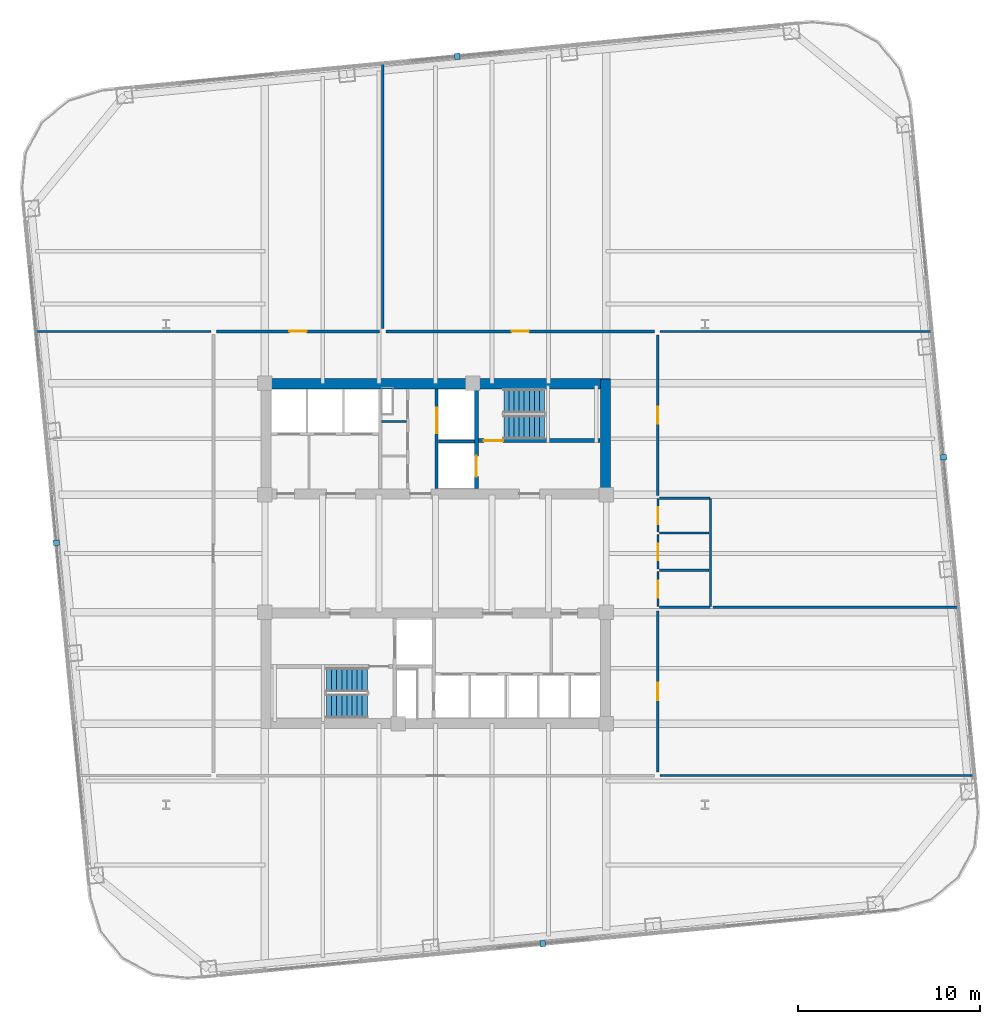
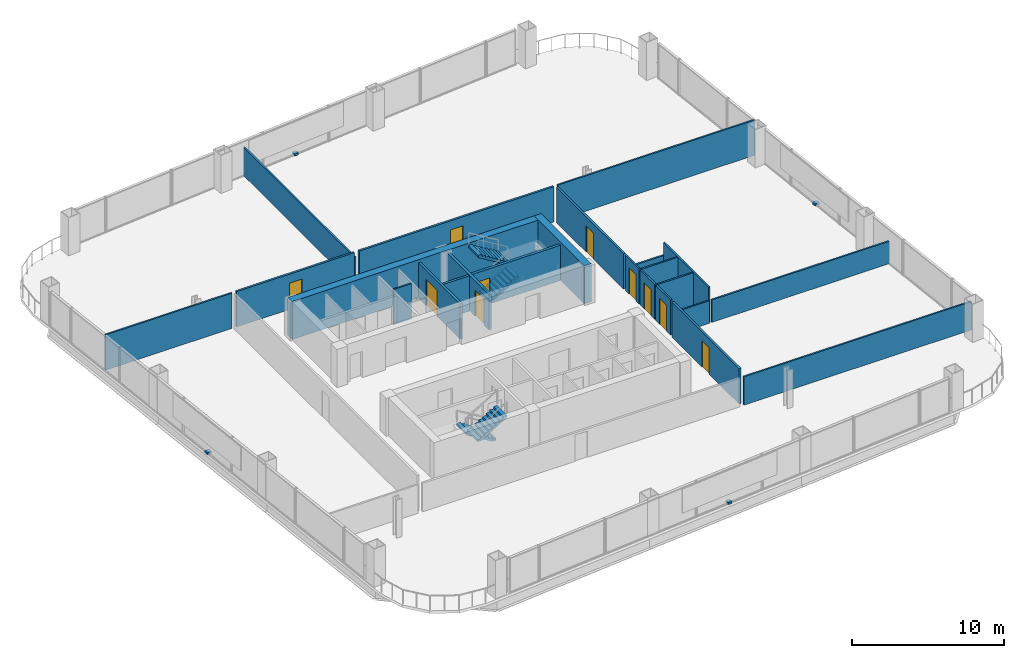
# One storey, part 23 of 26: 24 walls, 10 doors, 4 discrete accessories, 4 stair flights, 10 openings, 2 elements without a shape of their own.
"""IFC4 building model written with IfcOpenShell, lengths in metres."""

import ifcopenshell
import ifcopenshell.guid

model = None  # the IFC model being written
_history = None  # IfcOwnerHistory: only IFC2X3 demands one
_inside = {}  # id of a spatial element -> (the spatial element, [elements in it])
_under = {}  # id of a project, library or spatial element -> (it, [spatial elements below it])
_declared = {}  # id of a project -> (the project, [libraries it declares])
_typed = {}  # id of a type object -> (the type object, [elements of that type])
_made_of = {}  # id of a material, layer set ... -> (it, [elements and type objects made of it])


def new_model(schema):
    """Start an empty IFC model of exactly this schema.

    Asked for "IFC4X3", IfcOpenShell would pick the latest addendum, in which some entities
    have other attributes; the version numbers below select the first issue.
    IFC2X3 requires an IfcOwnerHistory on every rooted entity: one is made here for all.
    """
    global model, _history
    if schema == "IFC4X3":
        model = ifcopenshell.file(schema_version=(4, 3, 0, 0))
    else:
        model = ifcopenshell.file(schema=schema)
    _inside.clear()
    _under.clear()
    _declared.clear()
    _typed.clear()
    _made_of.clear()
    _history = None
    if model.schema == "IFC2X3":
        org = make("IfcOrganization", Name="unknown")
        user = make(
            "IfcPersonAndOrganization",
            ThePerson=make("IfcPerson", FamilyName="unknown"),
            TheOrganization=org,
        )
        app = make(
            "IfcApplication",
            ApplicationDeveloper=org,
            Version="unknown",
            ApplicationFullName="unknown",
            ApplicationIdentifier="unknown",
        )
        _history = make(
            "IfcOwnerHistory",
            OwningUser=user,
            OwningApplication=app,
            ChangeAction="ADDED",
            CreationDate=0,
        )
    return model


def make(cls, **values):
    """One entity of the class cls with the attributes given. An attribute that is None is left unset."""
    return model.create_entity(
        cls, **{name: value for name, value in values.items() if value is not None}
    )


def rooted(cls, **values):
    """An entity with a GlobalId (a new one), such as an element, a storey or a relation."""
    return make(cls, GlobalId=ifcopenshell.guid.new(), OwnerHistory=_history, **values)


def si_unit(unit_type, name, prefix=None):
    """IfcSIUnit, for example si_unit("LENGTHUNIT", "METRE", prefix="MILLI")."""
    return make("IfcSIUnit", UnitType=unit_type, Prefix=prefix, Name=name)


def assignment(units):
    """IfcUnitAssignment: the units of a project."""
    return None if units is None else make("IfcUnitAssignment", Units=units)


def point(xyz):
    """IfcCartesianPoint."""
    return None if xyz is None else make("IfcCartesianPoint", Coordinates=xyz)


def direction(xyz):
    """IfcDirection."""
    return None if xyz is None else make("IfcDirection", DirectionRatios=xyz)


def frame(location, z_axis=None, x_axis=None):
    """IfcAxis2Placement3D, a coordinate frame: its origin and axes. An axis left out is left unset."""
    return make(
        "IfcAxis2Placement3D",
        Location=point(location),
        Axis=direction(z_axis),
        RefDirection=direction(x_axis),
    )


def frame_2d(location, x_axis=None):
    """IfcAxis2Placement2D, a coordinate frame in the plane: its origin and x axis."""
    return make(
        "IfcAxis2Placement2D", Location=point(location), RefDirection=direction(x_axis)
    )


def origin():
    """The frame at (0, 0, 0) with its axes left unset."""
    return frame((0.0, 0.0, 0.0))


def origin_2d():
    """The frame at (0, 0) in the plane with its x axis left unset."""
    return frame_2d((0.0, 0.0))


def place(relative_to, where):
    """IfcLocalPlacement: puts the frame where relative to a parent placement (None: the world)."""
    return make(
        "IfcLocalPlacement", PlacementRelTo=relative_to, RelativePlacement=where
    )


def context(
    kind, dimensions, precision=None, world=None, true_north=None, identifier=None
):
    """IfcGeometricRepresentationContext, for example the 3D "Model" context."""
    return make(
        "IfcGeometricRepresentationContext",
        ContextIdentifier=identifier,
        ContextType=kind,
        CoordinateSpaceDimension=dimensions,
        Precision=precision,
        WorldCoordinateSystem=world,
        TrueNorth=true_north,
    )


def subcontext(parent, identifier, kind, view, scale=None):
    """IfcGeometricRepresentationSubContext, for example "Body" below "Model"."""
    return make(
        "IfcGeometricRepresentationSubContext",
        ContextIdentifier=identifier,
        ContextType=kind,
        ParentContext=parent,
        TargetScale=scale,
        TargetView=view,
    )


def project(units=None, contexts=None):
    """IfcProject with its units and contexts."""
    return rooted(
        "IfcProject",
        Name="project",
        RepresentationContexts=contexts,
        UnitsInContext=assignment(units),
    )


def spatial(cls, under=None, at=None, **own):
    """A site, building, storey or space (cls), placed at a placement, below another one or the project."""
    s = rooted(cls, ObjectPlacement=at, **own)
    if under is not None:
        _under.setdefault(under.id(), (under, []))[1].append(s)
    return s


def polyline(points):
    """IfcPolyline through the points."""
    return make("IfcPolyline", Points=[point(p) for p in points])


def profile(cls, at=None, kind="AREA", **sizes):
    """A parametric profile (cls). Its sizes go by their IFC names, for example OverallWidth=200.0."""
    return make(cls, ProfileType=kind, Position=at, **sizes)


def rectangle(**sizes):
    """IfcRectangleProfileDef."""
    return profile("IfcRectangleProfileDef", **sizes)


def outline(outer, holes=None, kind="AREA"):
    """IfcArbitraryClosedProfileDef: a profile drawn as a closed curve; with holes, ...WithVoids."""
    if holes is None:
        return make("IfcArbitraryClosedProfileDef", ProfileType=kind, OuterCurve=outer)
    return make(
        "IfcArbitraryProfileDefWithVoids",
        ProfileType=kind,
        OuterCurve=outer,
        InnerCurves=holes,
    )


def extrude(swept, where, along, depth):
    """IfcExtrudedAreaSolid: the profile swept, set in the frame where, extruded along a direction by depth."""
    return make(
        "IfcExtrudedAreaSolid",
        SweptArea=swept,
        Position=where,
        ExtrudedDirection=direction(along),
        Depth=depth,
    )


def shape(context_of_items, identifier, shape_type, items):
    """IfcShapeRepresentation: the items that make up one representation, for example the "Body"."""
    return make(
        "IfcShapeRepresentation",
        ContextOfItems=context_of_items,
        RepresentationIdentifier=identifier,
        RepresentationType=shape_type,
        Items=items,
    )


def material(Name=None, Category=None):
    """IfcMaterial."""
    return make("IfcMaterial", Name=Name, Category=Category)


def layer(
    of_material, thickness, ventilated=None, Name=None, Category=None, Priority=None
):
    """IfcMaterialLayer: one layer of a wall or slab, of a material (None: an air gap)."""
    return make(
        "IfcMaterialLayer",
        Material=of_material,
        LayerThickness=thickness,
        IsVentilated=ventilated,
        Name=Name,
        Category=Category,
        Priority=Priority,
    )


def layer_set(layers, Name=None):
    """IfcMaterialLayerSet."""
    return make("IfcMaterialLayerSet", MaterialLayers=layers, LayerSetName=Name)


def made_of(thing, what):
    """Note that an element or type object is made of a material, layer set ...; save() writes the relation."""
    if what is not None:
        _made_of.setdefault(what.id(), (what, []))[1].append(thing)
    return thing


def type_object(cls, material=None, **own):
    """A type object (cls), such as IfcWallType, which elements share."""
    return made_of(rooted(cls, **own), material)


def element(
    cls,
    number,
    at=None,
    inside=None,
    cuts=None,
    type_object=None,
    material=None,
    context=None,
    identifier="Body",
    shape_type=None,
    held_by="IfcProductDefinitionShape",
    body=None,
    shapes=None,
    **own,
):
    """One element of the class cls, such as IfcWall. Its Tag is "e" and its number.

    at: its placement. inside: the storey or other place that contains it. cuts: it is an
    opening in that element (IfcRelVoidsElement). A single representation is given by context,
    identifier, shape_type and body (its items); several are given by shapes. held_by: the class
    of the entity that holds the representations. save() writes the other relations.
    """
    e = rooted(cls, Tag="e%d" % number, ObjectPlacement=at, **own)
    if body is not None:
        shapes = [shape(context, identifier, shape_type, body)]
    if shapes is not None:
        e.Representation = make(held_by, Representations=shapes)
    if inside is not None:
        _inside.setdefault(inside.id(), (inside, []))[1].append(e)
    if cuts is not None:
        rooted(
            "IfcRelVoidsElement", RelatingBuildingElement=cuts, RelatedOpeningElement=e
        )
    if type_object is not None:
        _typed.setdefault(type_object.id(), (type_object, []))[1].append(e)
    return made_of(e, material)


def fill(opening, filler):
    """IfcRelFillsElement: the door or window that sits in an opening."""
    return rooted(
        "IfcRelFillsElement",
        RelatingOpeningElement=opening,
        RelatedBuildingElement=filler,
    )


def aggregate(whole, parts):
    """IfcRelAggregates: a whole, such as a stair, and the parts it consists of."""
    return rooted("IfcRelAggregates", RelatingObject=whole, RelatedObjects=parts)


def save(model, path):
    """Write the relations noted so far, then the file.

    IfcRelAggregates (storeys below a building ...), IfcRelContainedInSpatialStructure (elements
    in a storey), IfcRelDefinesByType, IfcRelAssociatesMaterial and IfcRelDeclares: one each for
    every whole, place, type object, material and project.
    """
    for whole, parts in _under.values():
        aggregate(whole, parts)
    for where, things in _inside.values():
        rooted(
            "IfcRelContainedInSpatialStructure",
            RelatedElements=things,
            RelatingStructure=where,
        )
    for kind, things in _typed.values():
        rooted("IfcRelDefinesByType", RelatedObjects=things, RelatingType=kind)
    for what, things in _made_of.values():
        rooted("IfcRelAssociatesMaterial", RelatedObjects=things, RelatingMaterial=what)
    for by, libraries in _declared.values():
        rooted("IfcRelDeclares", RelatingContext=by, RelatedDefinitions=libraries)
    model.write(path)


model = new_model("IFC4")

# Units and contexts
model_context = context("Model", 3, precision=1e-05, world=origin(), true_north=direction((0.0, 1.0)))
body_context = subcontext(model_context, "Body", "Model", "MODEL_VIEW")
ifc_project = project(units=[si_unit("LENGTHUNIT", "METRE"), si_unit("AREAUNIT", "SQUARE_METRE"), si_unit("VOLUMEUNIT", "CUBIC_METRE"), si_unit("PLANEANGLEUNIT", "RADIAN"), si_unit("MASSUNIT", "GRAM", prefix="KILO")], contexts=[model_context])

# Site, building, storey
site_placement = place(None, origin())
site = spatial("IfcSite", under=ifc_project, at=site_placement, CompositionType="ELEMENT")
building_placement = place(site_placement, origin())
building = spatial("IfcBuilding", under=site, at=building_placement, Name="Qhalaya Broadcast Tower", CompositionType="ELEMENT")
storey_placement = place(building_placement, frame((0.0, 0.0, 72.5)))
storey = spatial("IfcBuildingStorey", under=building, at=storey_placement, Name="L20", CompositionType="ELEMENT", Elevation=72.5)

# Wall, opening, door
ifc_material_1 = material(Name="Gypsum Acoustic Partition")
ifc_layer_1 = layer(ifc_material_1, 0.14990234375, Name="Gypsum Acoustic Partition")
ifc_layer_set_1 = layer_set([ifc_layer_1], Name="Gypsum Acoustic Partition")
wall_type_1 = type_object("IfcWallType", Name="Corridor & Tenancy Acoustic Partition 150", PredefinedType="PARTITIONING", material=ifc_layer_set_1)
wall_1_placement = place(storey_placement, frame((-12.02001953125, 12.800048828125, 0.0), z_axis=(0.0, 0.0, 1.0), x_axis=(1.0, 0.0, 0.0)))
wall_1 = element("IfcWall", 1, at=wall_1_placement, inside=storey, type_object=wall_type_1, Name="L20 Partition Wall W-COR-01", PredefinedType="PARTITIONING", context=body_context, shape_type="SweptSolid", body=[
    extrude(rectangle(XDim=8.93994140625, YDim=0.14990234375, at=frame_2d((4.469970703125, 0.0))), origin(), (0.0, 0.0, 1.0), 2.830078125),
])
opening_1_placement = place(wall_1_placement, frame((3.9951171875, 0.0, 0.0)))
opening_1 = element("IfcOpeningElement", 2, at=opening_1_placement, cuts=wall_1, Name="Opening D10", PredefinedType="OPENING", context=body_context, shape_type="SweptSolid", body=[
    extrude(rectangle(XDim=0.949951171875, YDim=2.10009765625, at=frame_2d((0.47509765625, 1.050048828125))), frame((0.0, 0.0869140625, 0.0), z_axis=(0.0, -1.0, 0.0), x_axis=(1.0, 0.0, 0.0)), (0.0, 0.0, 1.0), 0.173828125),
])
ifc_material_2 = material(Name="Timber Veneer Acoustic Door", Category="wood")
door_type_1 = type_object("IfcDoorType", Name="Cellular Office & Edit Booth Door D10", OperationType="NOTDEFINED", PredefinedType="DOOR", material=ifc_material_2)
door_1_placement = place(opening_1_placement, origin())
door_1 = element("IfcDoor", 3, at=door_1_placement, inside=storey, type_object=door_type_1, Name="L20 Door D-RM01", OperationType="SINGLE_SWING_RIGHT", OverallHeight=2.10009765625, OverallWidth=0.949951171875, PredefinedType="DOOR", context=body_context, shape_type="SweptSolid", body=[
    extrude(rectangle(XDim=0.949951171875, YDim=2.10009765625, at=frame_2d((0.47509765625, 1.050048828125))), frame((0.0, 0.02490234375, 0.0), z_axis=(0.0, -1.0, 0.0), x_axis=(1.0, 0.0, 0.0)), (0.0, 0.0, 1.0), 0.050048828125),
])
fill(opening_1, door_1)

wall_2_placement = place(storey_placement, frame((-2.719970703125, 12.800048828125, 0.0), z_axis=(0.0, 0.0, 1.0), x_axis=(1.0, 0.0, 0.0)))
wall_2 = element("IfcWall", 4, at=wall_2_placement, inside=storey, type_object=wall_type_1, Name="L20 Partition Wall W-COR-02", PredefinedType="PARTITIONING", context=body_context, shape_type="SweptSolid", body=[
    extrude(rectangle(XDim=14.739990234375, YDim=0.14990234375, at=frame_2d((7.3701171875, 0.0))), origin(), (0.0, 0.0, 1.0), 2.830078125),
])
opening_2_placement = place(wall_2_placement, frame((6.89501953125, 0.0, 0.0)))
opening_2 = element("IfcOpeningElement", 5, at=opening_2_placement, cuts=wall_2, Name="Opening D10", PredefinedType="OPENING", context=body_context, shape_type="SweptSolid", body=[
    extrude(rectangle(XDim=0.949951171875, YDim=2.10009765625, at=frame_2d((0.47509765625, 1.050048828125))), frame((0.0, 0.0869140625, 0.0), z_axis=(0.0, -1.0, 0.0), x_axis=(1.0, 0.0, 0.0)), (0.0, 0.0, 1.0), 0.173828125),
])
door_2_placement = place(opening_2_placement, origin())
door_2 = element("IfcDoor", 6, at=door_2_placement, inside=storey, type_object=door_type_1, Name="L20 Door D-RM02", OperationType="SINGLE_SWING_LEFT", OverallHeight=2.10009765625, OverallWidth=0.949951171875, PredefinedType="DOOR", context=body_context, shape_type="SweptSolid", body=[
    extrude(rectangle(XDim=0.949951171875, YDim=2.10009765625, at=frame_2d((0.47509765625, 1.050048828125))), frame((0.0, 0.02490234375, 0.0), z_axis=(0.0, -1.0, 0.0), x_axis=(1.0, 0.0, 0.0)), (0.0, 0.0, 1.0), 0.050048828125),
])
fill(opening_2, door_2)

wall_3_placement = place(storey_placement, frame((12.199951171875, -11.39990234375, 0.0), z_axis=(0.0, 0.0, 1.0), x_axis=(0.0, 1.0, 0.0)))
wall_3 = element("IfcWall", 7, at=wall_3_placement, inside=storey, type_object=wall_type_1, Name="L20 Partition Wall W-COR-05", PredefinedType="PARTITIONING", context=body_context, shape_type="SweptSolid", body=[
    extrude(rectangle(XDim=8.83984375, YDim=0.14990234375, at=frame_2d((4.419921875, 0.0))), origin(), (0.0, 0.0, 1.0), 2.830078125),
])
opening_3_placement = place(wall_3_placement, frame((3.945068359375, 0.0, 0.0)))
opening_3 = element("IfcOpeningElement", 8, at=opening_3_placement, cuts=wall_3, Name="Opening D10", PredefinedType="OPENING", context=body_context, shape_type="SweptSolid", body=[
    extrude(rectangle(XDim=0.949951171875, YDim=2.10009765625, at=frame_2d((0.47509765625, 1.050048828125))), frame((0.0, 0.0869140625, 0.0), z_axis=(0.0, -1.0, 0.0), x_axis=(1.0, 0.0, 0.0)), (0.0, 0.0, 1.0), 0.173828125),
])
door_3_placement = place(opening_3_placement, origin())
door_3 = element("IfcDoor", 9, at=door_3_placement, inside=storey, type_object=door_type_1, Name="L20 Door D-RM05", OperationType="SINGLE_SWING_RIGHT", OverallHeight=2.10009765625, OverallWidth=0.949951171875, PredefinedType="DOOR", context=body_context, shape_type="SweptSolid", body=[
    extrude(rectangle(XDim=0.949951171875, YDim=2.10009765625, at=frame_2d((0.47509765625, 1.050048828125))), frame((0.0, 0.02490234375, 0.0), z_axis=(0.0, -1.0, 0.0), x_axis=(1.0, 0.0, 0.0)), (0.0, 0.0, 1.0), 0.050048828125),
])
fill(opening_3, door_3)

wall_4_placement = place(storey_placement, frame((12.199951171875, 3.800048828125, 0.0), z_axis=(0.0, 0.0, 1.0), x_axis=(0.0, 1.0, 0.0)))
wall_4 = element("IfcWall", 10, at=wall_4_placement, inside=storey, type_object=wall_type_1, Name="L20 Partition Wall W-COR-06", PredefinedType="PARTITIONING", context=body_context, shape_type="SweptSolid", body=[
    extrude(rectangle(XDim=8.800048828125, YDim=0.14990234375, at=frame_2d((4.39990234375, 0.0))), origin(), (0.0, 0.0, 1.0), 2.830078125),
])
opening_4_placement = place(wall_4_placement, frame((3.925048828125, 0.0, 0.0)))
opening_4 = element("IfcOpeningElement", 11, at=opening_4_placement, cuts=wall_4, Name="Opening D10", PredefinedType="OPENING", context=body_context, shape_type="SweptSolid", body=[
    extrude(rectangle(XDim=0.949951171875, YDim=2.10009765625, at=frame_2d((0.47509765625, 1.050048828125))), frame((0.0, 0.0869140625, 0.0), z_axis=(0.0, -1.0, 0.0), x_axis=(1.0, 0.0, 0.0)), (0.0, 0.0, 1.0), 0.173828125),
])
door_4_placement = place(opening_4_placement, origin())
door_4 = element("IfcDoor", 12, at=door_4_placement, inside=storey, type_object=door_type_1, Name="L20 Door D-RM06", OperationType="SINGLE_SWING_LEFT", OverallHeight=2.10009765625, OverallWidth=0.949951171875, PredefinedType="DOOR", context=body_context, shape_type="SweptSolid", body=[
    extrude(rectangle(XDim=0.949951171875, YDim=2.10009765625, at=frame_2d((0.47509765625, 1.050048828125))), frame((0.0, 0.02490234375, 0.0), z_axis=(0.0, -1.0, 0.0), x_axis=(1.0, 0.0, 0.0)), (0.0, 0.0, 1.0), 0.050048828125),
])
fill(opening_4, door_4)

ifc_material_3 = material(Name="Concrete C50/60", Category="concrete")
ifc_layer_2 = layer(ifc_material_3, 0.199951171875, Name="Concrete C50/60")
ifc_layer_set_2 = layer_set([ifc_layer_2], Name="Concrete C50/60")
wall_type_2 = type_object("IfcWallType", Name="Load-Bearing Stair Shaft Wall 200", PredefinedType="SHEAR", material=ifc_layer_set_2)
wall_5_placement = place(storey_placement, frame((2.360107421875, 6.804931640625, 0.0), z_axis=(0.0, 0.0, 1.0), x_axis=(1.0, 0.0, 0.0)))
wall_5 = element("IfcWall", 13, at=wall_5_placement, inside=storey, type_object=wall_type_2, Name="L20 Stair Core Shear Wall NCW-ST1", PredefinedType="SHEAR", context=body_context, shape_type="SweptSolid", body=[
    extrude(rectangle(XDim=6.669921875, YDim=0.199951171875, at=frame_2d((3.3349609375, 0.0))), origin(), (0.0, 0.0, 1.0), 2.830078125),
])
opening_5_placement = place(wall_5_placement, frame((0.300048828125, 0.0, 0.0)))
opening_5 = element("IfcOpeningElement", 14, at=opening_5_placement, cuts=wall_5, Name="Opening D03", PredefinedType="OPENING", context=body_context, shape_type="SweptSolid", body=[
    extrude(rectangle(XDim=1.050048828125, YDim=2.080078125, at=frame_2d((0.52490234375, 1.0400390625))), frame((0.0, 0.112060546875, 0.0), z_axis=(0.0, -1.0, 0.0), x_axis=(1.0, 0.0, 0.0)), (0.0, 0.0, 1.0), 0.223876953125),
])
ifc_material_4 = material(Name="Fire-Rated Steel Door", Category="steel")
door_type_2 = type_object("IfcDoorType", Name="Core Stair Protected Fire Door D03", OperationType="NOTDEFINED", PredefinedType="DOOR", material=ifc_material_4)
door_5_placement = place(opening_5_placement, origin())
door_5 = element("IfcDoor", 15, at=door_5_placement, inside=storey, type_object=door_type_2, Name="L20 Door D-NST1", OperationType="SINGLE_SWING_LEFT", OverallHeight=2.080078125, OverallWidth=1.050048828125, PredefinedType="DOOR", context=body_context, shape_type="SweptSolid", body=[
    extrude(rectangle(XDim=1.050048828125, YDim=2.080078125, at=frame_2d((0.52490234375, 1.0400390625))), frame((0.0, 0.02490234375, 0.0), z_axis=(0.0, -1.0, 0.0), x_axis=(1.0, 0.0, 0.0)), (0.0, 0.0, 1.0), 0.050048828125),
])
fill(opening_5, door_5)

wall_6_placement = place(storey_placement, frame((2.25, 4.169921875, 0.0), z_axis=(0.0, 0.0, 1.0), x_axis=(0.0, 1.0, 0.0)))
wall_6 = element("IfcWall", 16, at=wall_6_placement, inside=storey, type_object=wall_type_2, Name="L20 Stair Core Shear Wall NCW-FF", PredefinedType="SHEAR", context=body_context, shape_type="SweptSolid", body=[
    extrude(rectangle(XDim=5.4599609375, YDim=0.199951171875, at=frame_2d((2.72998046875, 0.0))), origin(), (0.0, 0.0, 1.0), 2.830078125),
])
opening_6_placement = place(wall_6_placement, frame((0.64990234375, 0.0, 0.0)))
opening_6 = element("IfcOpeningElement", 17, at=opening_6_placement, cuts=wall_6, Name="Opening LD2", PredefinedType="OPENING", context=body_context, shape_type="SweptSolid", body=[
    extrude(rectangle(XDim=1.14990234375, YDim=2.080078125, at=frame_2d((0.574951171875, 1.0400390625))), frame((0.0, 0.112060546875, 0.0), z_axis=(0.0, -1.0, 0.0), x_axis=(1.0, 0.0, 0.0)), (0.0, 0.0, 1.0), 0.223876953125),
])
ifc_material_5 = material(Name="Brushed Stainless Steel Lift Door", Category="steel")
door_type_3 = type_object("IfcDoorType", Name="Firefighting Lift Sliding Landing Door LD2", OperationType="DOUBLE_DOOR_SLIDING", PredefinedType="DOOR", material=ifc_material_5)
door_6_placement = place(opening_6_placement, origin())
door_6 = element("IfcDoor", 18, at=door_6_placement, inside=storey, type_object=door_type_3, Name="L20 Door LD-FF1", OperationType="DOUBLE_DOOR_SLIDING", OverallHeight=2.080078125, OverallWidth=1.14990234375, PredefinedType="DOOR", context=body_context, shape_type="SweptSolid", body=[
    extrude(rectangle(XDim=1.14990234375, YDim=2.080078125, at=frame_2d((0.574951171875, 1.0400390625))), frame((0.0, 0.02490234375, 0.0), z_axis=(0.0, -1.0, 0.0), x_axis=(1.0, 0.0, 0.0)), (0.0, 0.0, 1.0), 0.050048828125),
])
fill(opening_6, door_6)

# Walls
ifc_material_6 = material(Name="Concrete C60/75", Category="concrete")
ifc_layer_3 = layer(ifc_material_6, 0.550048828125, Name="Concrete C60/75")
ifc_layer_set_3 = layer_set([ifc_layer_3], Name="Concrete C60/75")
wall_type_3 = type_object("IfcWallType", Name="Lower Split-Core Shear Wall 550", PredefinedType="SHEAR", material=ifc_layer_set_3)
wall_7_placement = place(storey_placement, frame((-9.60009765625, 9.925048828125, 0.0), z_axis=(0.0, 0.0, 1.0), x_axis=(1.0, 0.0, 0.0)))
element("IfcWall", 19, at=wall_7_placement, inside=storey, type_object=wall_type_3, Name="L20 Split-Core Shear Wall CW-NN", PredefinedType="SHEAR", context=body_context, shape_type="SweptSolid", body=[
    extrude(rectangle(XDim=19.2001953125, YDim=0.550048828125, at=frame_2d((9.60009765625, 0.0))), origin(), (0.0, 0.0, 1.0), 3.050048828125),
])
wall_8_placement = place(storey_placement, frame((9.324951171875, 3.60009765625, 0.0), z_axis=(0.0, 0.0, 1.0), x_axis=(0.0, 1.0, 0.0)))
element("IfcWall", 20, at=wall_8_placement, inside=storey, type_object=wall_type_3, Name="L20 Split-Core Shear Wall CW-NE", PredefinedType="SHEAR", context=body_context, shape_type="SweptSolid", body=[
    extrude(rectangle(XDim=6.599853515625, YDim=0.550048828125, at=frame_2d((3.2998046875, 0.0))), origin(), (0.0, 0.0, 1.0), 3.050048828125),
])
ifc_layer_4 = layer(ifc_material_1, 0.1201171875, Name="Gypsum Acoustic Partition")
ifc_layer_set_4 = layer_set([ifc_layer_4], Name="Gypsum Acoustic Partition")
wall_type_4 = type_object("IfcWallType", Name="Office, Booth & Sanitary Partition 120", PredefinedType="PARTITIONING", material=ifc_layer_set_4)
wall_9_placement = place(storey_placement, frame((-2.9599609375, 7.85009765625, 0.0), z_axis=(0.0, 0.0, 1.0), x_axis=(1.0, 0.0, 0.0)))
element("IfcWall", 21, at=wall_9_placement, inside=storey, type_object=wall_type_4, Name="L20 Partition Wall NCW-VB2", PredefinedType="PARTITIONING", context=body_context, shape_type="SweptSolid", body=[
    extrude(rectangle(XDim=1.35986328125, YDim=0.1201171875, at=frame_2d((0.679931640625, 0.0))), origin(), (0.0, 0.0, 1.0), 2.830078125),
])

# Wall, opening, door
wall_10_placement = place(storey_placement, frame((12.219970703125, -2.320068359375, 0.0), z_axis=(0.0, 0.0, 1.0), x_axis=(0.0, 1.0, 0.0)))
wall_10 = element("IfcWall", 22, at=wall_10_placement, inside=storey, type_object=wall_type_4, Name="L20 Partition Wall W-WCWA", PredefinedType="PARTITIONING", context=body_context, shape_type="SweptSolid", body=[
    extrude(rectangle(XDim=1.940185546875, YDim=0.1201171875, at=frame_2d((0.97021484375, 0.0))), origin(), (0.0, 0.0, 1.0), 2.830078125),
])
opening_7_placement = place(wall_10_placement, frame((0.4951171875, 0.0, 0.0)))
opening_7 = element("IfcOpeningElement", 23, at=opening_7_placement, cuts=wall_10, Name="Opening D12", PredefinedType="OPENING", context=body_context, shape_type="SweptSolid", body=[
    extrude(rectangle(XDim=0.919921875, YDim=2.10009765625, at=frame_2d((0.4599609375, 1.050048828125))), frame((0.0, 0.072021484375, 0.0), z_axis=(0.0, -1.0, 0.0), x_axis=(1.0, 0.0, 0.0)), (0.0, 0.0, 1.0), 0.14404296875),
])
door_type_4 = type_object("IfcDoorType", Name="Accessible WC & Restroom Door D12", OperationType="NOTDEFINED", PredefinedType="DOOR", material=ifc_material_2)
door_7_placement = place(opening_7_placement, origin())
door_7 = element("IfcDoor", 24, at=door_7_placement, inside=storey, type_object=door_type_4, Name="L20 Door D-WCA", OperationType="SINGLE_SWING_LEFT", OverallHeight=2.10009765625, OverallWidth=0.919921875, PredefinedType="DOOR", context=body_context, shape_type="SweptSolid", body=[
    extrude(rectangle(XDim=0.919921875, YDim=2.10009765625, at=frame_2d((0.4599609375, 1.050048828125))), frame((0.0, 0.02490234375, 0.0), z_axis=(0.0, -1.0, 0.0), x_axis=(1.0, 0.0, 0.0)), (0.0, 0.0, 1.0), 0.050048828125),
])
fill(opening_7, door_7)

wall_11_placement = place(storey_placement, frame((12.219970703125, -0.25, 0.0), z_axis=(0.0, 0.0, 1.0), x_axis=(0.0, 1.0, 0.0)))
wall_11 = element("IfcWall", 25, at=wall_11_placement, inside=storey, type_object=wall_type_4, Name="L20 Partition Wall W-WCWM", PredefinedType="PARTITIONING", context=body_context, shape_type="SweptSolid", body=[
    extrude(rectangle(XDim=1.89990234375, YDim=0.1201171875, at=frame_2d((0.949951171875, 0.0))), origin(), (0.0, 0.0, 1.0), 2.830078125),
])
opening_8_placement = place(wall_11_placement, frame((0.47509765625, 0.0, 0.0)))
opening_8 = element("IfcOpeningElement", 26, at=opening_8_placement, cuts=wall_11, Name="Opening D12", PredefinedType="OPENING", context=body_context, shape_type="SweptSolid", body=[
    extrude(rectangle(XDim=0.919921875, YDim=2.10009765625, at=frame_2d((0.4599609375, 1.050048828125))), frame((0.0, 0.072021484375, 0.0), z_axis=(0.0, -1.0, 0.0), x_axis=(1.0, 0.0, 0.0)), (0.0, 0.0, 1.0), 0.14404296875),
])
door_8_placement = place(opening_8_placement, origin())
door_8 = element("IfcDoor", 27, at=door_8_placement, inside=storey, type_object=door_type_4, Name="L20 Door D-WCM", OperationType="SINGLE_SWING_RIGHT", OverallHeight=2.10009765625, OverallWidth=0.919921875, PredefinedType="DOOR", context=body_context, shape_type="SweptSolid", body=[
    extrude(rectangle(XDim=0.919921875, YDim=2.10009765625, at=frame_2d((0.4599609375, 1.050048828125))), frame((0.0, 0.02490234375, 0.0), z_axis=(0.0, -1.0, 0.0), x_axis=(1.0, 0.0, 0.0)), (0.0, 0.0, 1.0), 0.050048828125),
])
fill(opening_8, door_8)

wall_12_placement = place(storey_placement, frame((12.219970703125, 1.780029296875, 0.0), z_axis=(0.0, 0.0, 1.0), x_axis=(0.0, 1.0, 0.0)))
wall_12 = element("IfcWall", 28, at=wall_12_placement, inside=storey, type_object=wall_type_4, Name="L20 Partition Wall W-WCWF", PredefinedType="PARTITIONING", context=body_context, shape_type="SweptSolid", body=[
    extrude(rectangle(XDim=1.830078125, YDim=0.1201171875, at=frame_2d((0.9150390625, 0.0))), origin(), (0.0, 0.0, 1.0), 2.830078125),
])
opening_9_placement = place(wall_12_placement, frame((0.43994140625, 0.0, 0.0)))
opening_9 = element("IfcOpeningElement", 29, at=opening_9_placement, cuts=wall_12, Name="Opening D12", PredefinedType="OPENING", context=body_context, shape_type="SweptSolid", body=[
    extrude(rectangle(XDim=0.919921875, YDim=2.10009765625, at=frame_2d((0.4599609375, 1.050048828125))), frame((0.0, 0.072021484375, 0.0), z_axis=(0.0, -1.0, 0.0), x_axis=(1.0, 0.0, 0.0)), (0.0, 0.0, 1.0), 0.14404296875),
])
door_9_placement = place(opening_9_placement, origin())
door_9 = element("IfcDoor", 30, at=door_9_placement, inside=storey, type_object=door_type_4, Name="L20 Door D-WCF", OperationType="SINGLE_SWING_LEFT", OverallHeight=2.10009765625, OverallWidth=0.919921875, PredefinedType="DOOR", context=body_context, shape_type="SweptSolid", body=[
    extrude(rectangle(XDim=0.919921875, YDim=2.10009765625, at=frame_2d((0.4599609375, 1.050048828125))), frame((0.0, 0.02490234375, 0.0), z_axis=(0.0, -1.0, 0.0), x_axis=(1.0, 0.0, 0.0)), (0.0, 0.0, 1.0), 0.050048828125),
])
fill(opening_9, door_9)

# Walls
wall_13_placement = place(storey_placement, frame((15.10009765625, -2.320068359375, 0.0), z_axis=(0.0, 0.0, 1.0), x_axis=(0.0, 1.0, 0.0)))
element("IfcWall", 31, at=wall_13_placement, inside=storey, type_object=wall_type_4, Name="L20 Partition Wall W-WCE", PredefinedType="PARTITIONING", context=body_context, shape_type="SweptSolid", body=[
    extrude(rectangle(XDim=5.93017578125, YDim=0.1201171875, at=frame_2d((2.965087890625, 0.0))), origin(), (0.0, 0.0, 1.0), 2.830078125),
])
for number, where, z_axis, x_axis, name in (
    (32, (12.31005859375, -2.35009765625, 0.0), (0.0, 0.0, 1.0), (1.0, 0.0, 0.0), "L20 Partition Wall W-WCS"),
    (33, (12.31005859375, 3.639892578125, 0.0), (0.0, 0.0, 1.0), (1.0, 0.0, 0.0), "L20 Partition Wall W-WCN"),
):
    element("IfcWall", number, at=place(storey_placement, frame(where, z_axis=z_axis, x_axis=x_axis)), inside=storey, type_object=wall_type_4, Name=name, PredefinedType="PARTITIONING", context=body_context, shape_type="SweptSolid", body=[
        extrude(rectangle(XDim=2.760009765625, YDim=0.1201171875, at=frame_2d((1.3798828125, 0.0))), origin(), (0.0, 0.0, 1.0), 1.799072265625),
    ])
for number, where, z_axis, x_axis, name in (
    (34, (12.31005859375, -0.320068359375, 0.0), (0.0, 0.0, 1.0), (1.0, 0.0, 0.0), "L20 Partition Wall W-WCD1"),
    (35, (12.31005859375, 1.719970703125, 0.0), (0.0, 0.0, 1.0), (1.0, 0.0, 0.0), "L20 Partition Wall W-WCD2"),
):
    element("IfcWall", number, at=place(storey_placement, frame(where, z_axis=z_axis, x_axis=x_axis)), inside=storey, type_object=wall_type_4, Name=name, PredefinedType="PARTITIONING", context=body_context, shape_type="SweptSolid", body=[
        extrude(rectangle(XDim=2.719970703125, YDim=0.1201171875, at=frame_2d((1.35986328125, 0.0))), origin(), (0.0, 0.0, 1.0), 2.830078125),
    ])
wall_14_placement = place(storey_placement, frame((-21.94482421875, 12.800048828125, 0.0), z_axis=(0.0, 0.0, 1.0), x_axis=(1.0, 0.0, 0.0)))
element("IfcWall", 36, at=wall_14_placement, inside=storey, type_object=wall_type_4, Name="L20 Partition Wall W-BNDW1", PredefinedType="PARTITIONING", context=body_context, shape_type="SweptSolid", body=[
    extrude(rectangle(XDim=9.604736328125, YDim=0.1201171875, at=frame_2d((4.80224609375, 0.0))), origin(), (0.0, 0.0, 1.0), 2.830078125),
])
wall_15_placement = place(storey_placement, frame((12.340087890625, 12.800048828125, 0.0), z_axis=(0.0, 0.0, 1.0), x_axis=(1.0, 0.0, 0.0)))
element("IfcWall", 37, at=wall_15_placement, inside=storey, type_object=wall_type_4, Name="L20 Partition Wall W-BNDE1", PredefinedType="PARTITIONING", context=body_context, shape_type="SweptSolid", body=[
    extrude(rectangle(XDim=14.901611328125, YDim=0.1201171875, at=frame_2d((7.45068359375, 0.0))), origin(), (0.0, 0.0, 1.0), 2.830078125),
])
wall_16_placement = place(storey_placement, frame((12.340087890625, -11.60009765625, 0.0), z_axis=(0.0, 0.0, 1.0), x_axis=(1.0, 0.0, 0.0)))
element("IfcWall", 38, at=wall_16_placement, inside=storey, type_object=wall_type_4, Name="L20 Partition Wall W-BNDE2", PredefinedType="PARTITIONING", context=body_context, shape_type="SweptSolid", body=[
    extrude(rectangle(XDim=17.2509765625, YDim=0.1201171875, at=frame_2d((8.62548828125, 0.0))), origin(), (0.0, 0.0, 1.0), 2.27392578125),
])
wall_17_placement = place(storey_placement, frame((-2.89990234375, 12.9599609375, 0.0), z_axis=(0.0, 0.0, 1.0), x_axis=(0.0, 1.0, 0.0)))
element("IfcWall", 39, at=wall_17_placement, inside=storey, type_object=wall_type_4, Name="L20 Partition Wall W-DIVN1", PredefinedType="PARTITIONING", context=body_context, shape_type="SweptSolid", body=[
    extrude(rectangle(XDim=14.55322265625, YDim=0.1201171875, at=frame_2d((7.276611328125, 0.0))), origin(), (0.0, 0.0, 1.0), 2.27392578125),
])
wall_18_placement = place(storey_placement, frame((15.239990234375, -2.35009765625, 0.0), z_axis=(0.0, 0.0, 1.0), x_axis=(1.0, 0.0, 0.0)))
element("IfcWall", 40, at=wall_18_placement, inside=storey, type_object=wall_type_4, Name="L20 Partition Wall W-DIVE-WC", PredefinedType="PARTITIONING", context=body_context, shape_type="SweptSolid", body=[
    extrude(rectangle(XDim=13.46044921875, YDim=0.1201171875, at=frame_2d((6.730224609375, 0.0))), origin(), (0.0, 0.0, 1.0), 1.799072265625),
])

# Wall, opening, door
ifc_layer_5 = layer(ifc_material_1, 0.175048828125, Name="Gypsum Acoustic Partition")
ifc_layer_set_5 = layer_set([ifc_layer_5], Name="Gypsum Acoustic Partition")
wall_type_5 = type_object("IfcWallType", Name="Shaft & Riser Fire Partition 175", PredefinedType="PARTITIONING", material=ifc_layer_set_5)
wall_19_placement = place(storey_placement, frame((0.06005859375, 4.169921875, 0.0), z_axis=(0.0, 0.0, 1.0), x_axis=(0.0, 1.0, 0.0)))
wall_19 = element("IfcWall", 41, at=wall_19_placement, inside=storey, type_object=wall_type_5, Name="L20 Partition Wall NCW-SVW", PredefinedType="PARTITIONING", context=body_context, shape_type="SweptSolid", body=[
    extrude(rectangle(XDim=5.4599609375, YDim=0.175048828125, at=frame_2d((2.72998046875, 0.0))), origin(), (0.0, 0.0, 1.0), 2.830078125),
])
opening_10_placement = place(wall_19_placement, frame((3.050048828125, 0.0, 0.0)))
opening_10 = element("IfcOpeningElement", 42, at=opening_10_placement, cuts=wall_19, Name="Opening LD3", PredefinedType="OPENING", context=body_context, shape_type="SweptSolid", body=[
    extrude(rectangle(XDim=1.39990234375, YDim=2.1201171875, at=frame_2d((0.699951171875, 1.06005859375))), frame((0.0, 0.099609375, 0.0), z_axis=(0.0, -1.0, 0.0), x_axis=(1.0, 0.0, 0.0)), (0.0, 0.0, 1.0), 0.198974609375),
])
door_type_5 = type_object("IfcDoorType", Name="Service Lift Wide Sliding Landing Door LD3", OperationType="DOUBLE_DOOR_SLIDING", PredefinedType="DOOR", material=ifc_material_5)
door_10_placement = place(opening_10_placement, origin())
door_10 = element("IfcDoor", 43, at=door_10_placement, inside=storey, type_object=door_type_5, Name="L20 Door LD-SV1", OperationType="DOUBLE_DOOR_SLIDING", OverallHeight=2.1201171875, OverallWidth=1.39990234375, PredefinedType="DOOR", context=body_context, shape_type="SweptSolid", body=[
    extrude(rectangle(XDim=1.39990234375, YDim=2.1201171875, at=frame_2d((0.699951171875, 1.06005859375))), frame((0.0, 0.02490234375, 0.0), z_axis=(0.0, -1.0, 0.0), x_axis=(1.0, 0.0, 0.0)), (0.0, 0.0, 1.0), 0.050048828125),
])
fill(opening_10, door_10)

# Wall
wall_20_placement = place(storey_placement, frame((0.159912109375, 6.75, 0.0), z_axis=(0.0, 0.0, 1.0), x_axis=(1.0, 0.0, 0.0)))
element("IfcWall", 44, at=wall_20_placement, inside=storey, type_object=wall_type_5, Name="L20 Partition Wall NCW-SVM", PredefinedType="PARTITIONING", context=body_context, shape_type="SweptSolid", body=[
    extrude(rectangle(XDim=1.97998046875, YDim=0.175048828125, at=frame_2d((0.989990234375, 0.0))), origin(), (0.0, 0.0, 1.0), 2.830078125),
])

# Stair, stair flights
ifc_material_7 = material(Name="Concrete C40/50", Category="concrete")
stair_type = type_object("IfcStairType", Name="Protected Dogleg Core Stair 3150", PredefinedType="TWO_STRAIGHT_RUN_STAIR", material=ifc_material_7)
stair_1_placement = place(storey_placement, origin())
stair_1 = element("IfcStair", 45, at=stair_1_placement, inside=storey, type_object=stair_type, Name="L20 North Core Exit Stair ST-1", PredefinedType="TWO_STRAIGHT_RUN_STAIR")
ifc_material_8 = material(Name="Precast Concrete C40/50", Category="concrete")
stair_flight_type = type_object("IfcStairFlightType", Name="Precast Concrete Stair Flight 3150", PredefinedType="STRAIGHT", material=ifc_material_8)
stair_flight_1_placement = place(storey_placement, frame((3.75, 7.5400390625, 0.0), z_axis=(0.0, 0.0, 1.0), x_axis=(1.0, 0.0, 0.0)))
stair_flight_1 = element("IfcStairFlight", 46, at=stair_flight_1_placement, type_object=stair_flight_type, Name="ST-1 flight 1", NumberOfRisers=9, NumberOfTreads=8, PredefinedType="STRAIGHT", RiserHeight=0.169444444, TreadLength=0.28, context=body_context, shape_type="SweptSolid", body=[
    extrude(outline(polyline([(0.0, 0.0), (0.0, 0.16943359375), (0.280029296875, 0.16943359375), (0.280029296875, 0.3388671875), (0.56005859375, 0.3388671875), (0.56005859375, 0.50830078125), (0.840087890625, 0.50830078125), (0.840087890625, 0.677734375), (1.1201171875, 0.677734375), (1.1201171875, 0.84716796875), (1.39990234375, 0.84716796875), (1.39990234375, 1.0166015625), (1.679931640625, 1.0166015625), (1.679931640625, 1.18603515625), (1.9599609375, 1.18603515625), (1.9599609375, 1.35546875), (2.239990234375, 1.35546875), (2.239990234375, 1.52490234375), (2.239990234375, 1.180419921875), (0.28955078125, 0.0), (0.0, 0.0)])), frame((0.0, 0.66015625, 0.0), z_axis=(0.0, -1.0, 0.0), x_axis=(1.0, 0.0, 0.0)), (0.0, 0.0, 1.0), 1.320068359375),
])
stair_flight_2_placement = place(storey_placement, frame((5.989990234375, 8.97998046875, 1.52490234375), z_axis=(0.0, 0.0, 1.0), x_axis=(-1.0, 0.0, 0.0)))
stair_flight_2 = element("IfcStairFlight", 47, at=stair_flight_2_placement, type_object=stair_flight_type, Name="ST-1 flight 2", NumberOfRisers=9, NumberOfTreads=8, PredefinedType="STRAIGHT", RiserHeight=0.169444444, TreadLength=0.28, context=body_context, shape_type="SweptSolid", body=[
    extrude(outline(polyline([(0.0, 0.0), (0.0, 0.16943359375), (0.280029296875, 0.16943359375), (0.280029296875, 0.3388671875), (0.56005859375, 0.3388671875), (0.56005859375, 0.50830078125), (0.840087890625, 0.50830078125), (0.840087890625, 0.677734375), (1.1201171875, 0.677734375), (1.1201171875, 0.84716796875), (1.39990234375, 0.84716796875), (1.39990234375, 1.0166015625), (1.679931640625, 1.0166015625), (1.679931640625, 1.18603515625), (1.9599609375, 1.18603515625), (1.9599609375, 1.35546875), (2.239990234375, 1.35546875), (2.239990234375, 1.52490234375), (2.239990234375, 1.180419921875), (0.28955078125, 0.0), (0.0, 0.0)])), frame((0.0, 0.66015625, 0.0), z_axis=(0.0, -1.0, 0.0), x_axis=(1.0, 0.0, 0.0)), (0.0, 0.0, 1.0), 1.320068359375),
])
aggregate(stair_1, [stair_flight_1, stair_flight_2])

stair_2_placement = place(storey_placement, origin())
stair_2 = element("IfcStair", 48, at=stair_2_placement, inside=storey, type_object=stair_type, Name="L20 South Core Exit Stair ST-2", PredefinedType="TWO_STRAIGHT_RUN_STAIR")
stair_flight_3_placement = place(storey_placement, frame((-3.75, -6.340087890625, 0.0), z_axis=(0.0, 0.0, 1.0), x_axis=(-1.0, 0.0, 0.0)))
stair_flight_3 = element("IfcStairFlight", 49, at=stair_flight_3_placement, type_object=stair_flight_type, Name="ST-2 flight 1", NumberOfRisers=9, NumberOfTreads=8, PredefinedType="STRAIGHT", RiserHeight=0.169444444, TreadLength=0.28, context=body_context, shape_type="SweptSolid", body=[
    extrude(outline(polyline([(0.0, 0.0), (0.0, 0.16943359375), (0.280029296875, 0.16943359375), (0.280029296875, 0.3388671875), (0.56005859375, 0.3388671875), (0.56005859375, 0.50830078125), (0.840087890625, 0.50830078125), (0.840087890625, 0.677734375), (1.1201171875, 0.677734375), (1.1201171875, 0.84716796875), (1.39990234375, 0.84716796875), (1.39990234375, 1.0166015625), (1.679931640625, 1.0166015625), (1.679931640625, 1.18603515625), (1.9599609375, 1.18603515625), (1.9599609375, 1.35546875), (2.239990234375, 1.35546875), (2.239990234375, 1.52490234375), (2.239990234375, 1.180419921875), (0.28955078125, 0.0), (0.0, 0.0)])), frame((0.0, 0.66015625, 0.0), z_axis=(0.0, -1.0, 0.0), x_axis=(1.0, 0.0, 0.0)), (0.0, 0.0, 1.0), 1.320068359375),
])
stair_flight_4_placement = place(storey_placement, frame((-5.989990234375, -7.780029296875, 1.52490234375), z_axis=(0.0, 0.0, 1.0), x_axis=(1.0, 0.0, 0.0)))
stair_flight_4 = element("IfcStairFlight", 50, at=stair_flight_4_placement, type_object=stair_flight_type, Name="ST-2 flight 2", NumberOfRisers=9, NumberOfTreads=8, PredefinedType="STRAIGHT", RiserHeight=0.169444444, TreadLength=0.28, context=body_context, shape_type="SweptSolid", body=[
    extrude(outline(polyline([(0.0, 0.0), (0.0, 0.16943359375), (0.280029296875, 0.16943359375), (0.280029296875, 0.3388671875), (0.56005859375, 0.3388671875), (0.56005859375, 0.50830078125), (0.840087890625, 0.50830078125), (0.840087890625, 0.677734375), (1.1201171875, 0.677734375), (1.1201171875, 0.84716796875), (1.39990234375, 0.84716796875), (1.39990234375, 1.0166015625), (1.679931640625, 1.0166015625), (1.679931640625, 1.18603515625), (1.9599609375, 1.18603515625), (1.9599609375, 1.35546875), (2.239990234375, 1.35546875), (2.239990234375, 1.52490234375), (2.239990234375, 1.180419921875), (0.28955078125, 0.0), (0.0, 0.0)])), frame((0.0, 0.66015625, 0.0), z_axis=(0.0, -1.0, 0.0), x_axis=(1.0, 0.0, 0.0)), (0.0, 0.0, 1.0), 1.320068359375),
])
aggregate(stair_2, [stair_flight_3, stair_flight_4])

# Discrete accessories
ifc_material_9 = material(Name="Structural Steel ASTM A572 Grade 50", Category="steel")
discrete_accessory_type = type_object("IfcDiscreteAccessoryType", Name="Facade Baguette Support Bracket BRK-01", PredefinedType="BRACKET", material=ifc_material_9)
for number, where, z_axis, x_axis, name in (
    (51, (5.88623046875, -20.827392578125, 0.0), (0.0, 0.0, 1.0), (0.995396198367, 0.09584575252, 0.0), "L20 Baguette Support Bracket S"),
    (52, (27.9072265625, 5.88623046875, 0.0), (0.0, 0.0, 1.0), (-0.09584575252, 0.995396198367, 0.0), "L20 Baguette Support Bracket E"),
    (53, (1.193603515625, 27.9072265625, 0.0), (0.0, 0.0, 1.0), (-0.995396198367, -0.09584575252, 0.0), "L20 Baguette Support Bracket N"),
    (54, (-20.827392578125, 1.193603515625, 0.0), (0.0, 0.0, 1.0), (0.09584575252, -0.995396198367, 0.0), "L20 Baguette Support Bracket W"),
):
    element("IfcDiscreteAccessory", number, at=place(storey_placement, frame(where, z_axis=z_axis, x_axis=x_axis)), inside=storey, type_object=discrete_accessory_type, Name=name, PredefinedType="BRACKET", context=body_context, shape_type="SweptSolid", body=[
        extrude(rectangle(XDim=0.300048828125, YDim=0.340087890625, at=origin_2d()), origin(), (0.0, 0.0, 1.0), 0.159912109375),
    ])

save(model, "model.ifc")
